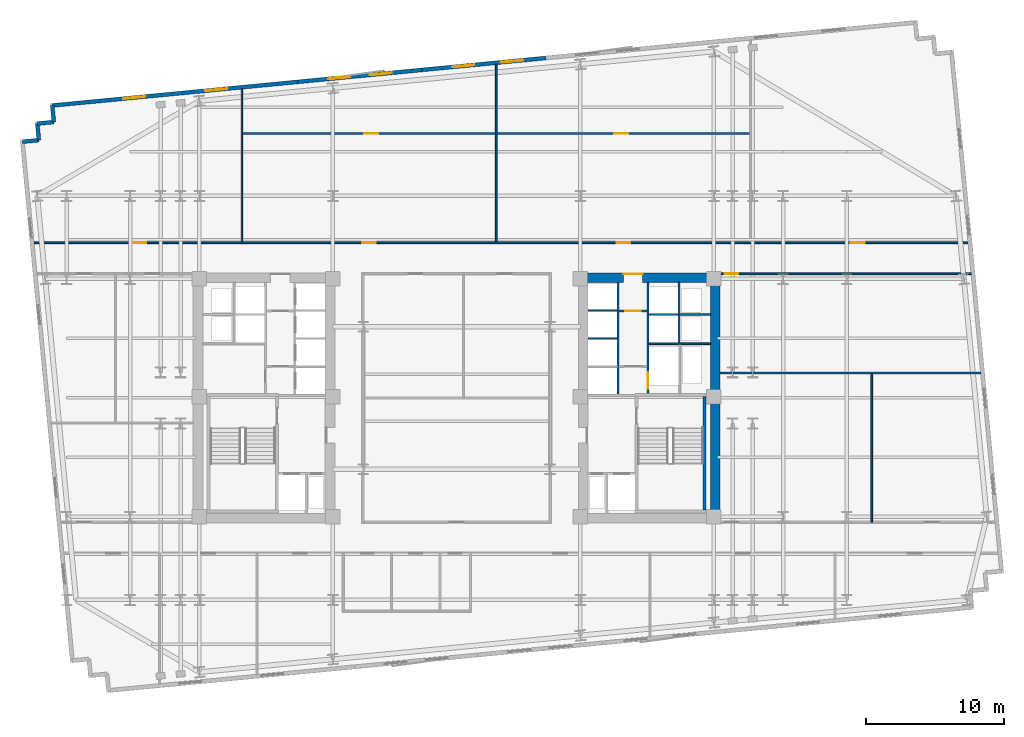
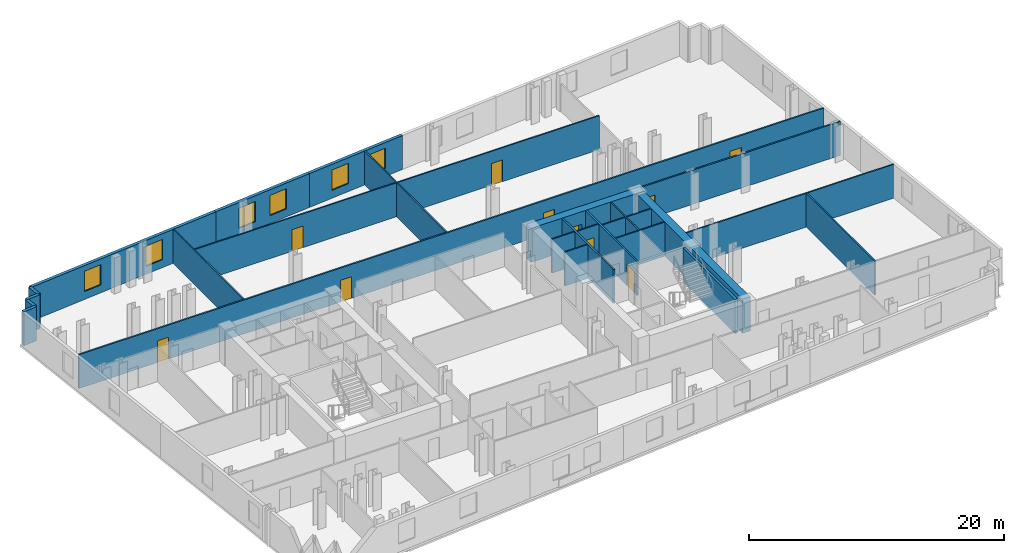
# One storey, part 7 of 10: 26 walls, 10 doors, 6 windows, 16 openings.
"""IFC4 building model written with IfcOpenShell, lengths in metres."""

import ifcopenshell
import ifcopenshell.guid

model = None  # the IFC model being written
_history = None  # IfcOwnerHistory: only IFC2X3 demands one
_inside = {}  # id of a spatial element -> (the spatial element, [elements in it])
_under = {}  # id of a project, library or spatial element -> (it, [spatial elements below it])
_declared = {}  # id of a project -> (the project, [libraries it declares])
_typed = {}  # id of a type object -> (the type object, [elements of that type])
_made_of = {}  # id of a material, layer set ... -> (it, [elements and type objects made of it])


def new_model(schema):
    """Start an empty IFC model of exactly this schema.

    Asked for "IFC4X3", IfcOpenShell would pick the latest addendum, in which some entities
    have other attributes; the version numbers below select the first issue.
    IFC2X3 requires an IfcOwnerHistory on every rooted entity: one is made here for all.
    """
    global model, _history
    if schema == "IFC4X3":
        model = ifcopenshell.file(schema_version=(4, 3, 0, 0))
    else:
        model = ifcopenshell.file(schema=schema)
    _inside.clear()
    _under.clear()
    _declared.clear()
    _typed.clear()
    _made_of.clear()
    _history = None
    if model.schema == "IFC2X3":
        org = make("IfcOrganization", Name="unknown")
        user = make(
            "IfcPersonAndOrganization",
            ThePerson=make("IfcPerson", FamilyName="unknown"),
            TheOrganization=org,
        )
        app = make(
            "IfcApplication",
            ApplicationDeveloper=org,
            Version="unknown",
            ApplicationFullName="unknown",
            ApplicationIdentifier="unknown",
        )
        _history = make(
            "IfcOwnerHistory",
            OwningUser=user,
            OwningApplication=app,
            ChangeAction="ADDED",
            CreationDate=0,
        )
    return model


def make(cls, **values):
    """One entity of the class cls with the attributes given. An attribute that is None is left unset."""
    return model.create_entity(
        cls, **{name: value for name, value in values.items() if value is not None}
    )


def rooted(cls, **values):
    """An entity with a GlobalId (a new one), such as an element, a storey or a relation."""
    return make(cls, GlobalId=ifcopenshell.guid.new(), OwnerHistory=_history, **values)


def si_unit(unit_type, name, prefix=None):
    """IfcSIUnit, for example si_unit("LENGTHUNIT", "METRE", prefix="MILLI")."""
    return make("IfcSIUnit", UnitType=unit_type, Prefix=prefix, Name=name)


def assignment(units):
    """IfcUnitAssignment: the units of a project."""
    return None if units is None else make("IfcUnitAssignment", Units=units)


def point(xyz):
    """IfcCartesianPoint."""
    return None if xyz is None else make("IfcCartesianPoint", Coordinates=xyz)


def direction(xyz):
    """IfcDirection."""
    return None if xyz is None else make("IfcDirection", DirectionRatios=xyz)


def frame(location, z_axis=None, x_axis=None):
    """IfcAxis2Placement3D, a coordinate frame: its origin and axes. An axis left out is left unset."""
    return make(
        "IfcAxis2Placement3D",
        Location=point(location),
        Axis=direction(z_axis),
        RefDirection=direction(x_axis),
    )


def frame_2d(location, x_axis=None):
    """IfcAxis2Placement2D, a coordinate frame in the plane: its origin and x axis."""
    return make(
        "IfcAxis2Placement2D", Location=point(location), RefDirection=direction(x_axis)
    )


def origin():
    """The frame at (0, 0, 0) with its axes left unset."""
    return frame((0.0, 0.0, 0.0))


def place(relative_to, where):
    """IfcLocalPlacement: puts the frame where relative to a parent placement (None: the world)."""
    return make(
        "IfcLocalPlacement", PlacementRelTo=relative_to, RelativePlacement=where
    )


def context(
    kind, dimensions, precision=None, world=None, true_north=None, identifier=None
):
    """IfcGeometricRepresentationContext, for example the 3D "Model" context."""
    return make(
        "IfcGeometricRepresentationContext",
        ContextIdentifier=identifier,
        ContextType=kind,
        CoordinateSpaceDimension=dimensions,
        Precision=precision,
        WorldCoordinateSystem=world,
        TrueNorth=true_north,
    )


def subcontext(parent, identifier, kind, view, scale=None):
    """IfcGeometricRepresentationSubContext, for example "Body" below "Model"."""
    return make(
        "IfcGeometricRepresentationSubContext",
        ContextIdentifier=identifier,
        ContextType=kind,
        ParentContext=parent,
        TargetScale=scale,
        TargetView=view,
    )


def project(units=None, contexts=None):
    """IfcProject with its units and contexts."""
    return rooted(
        "IfcProject",
        Name="project",
        RepresentationContexts=contexts,
        UnitsInContext=assignment(units),
    )


def spatial(cls, under=None, at=None, **own):
    """A site, building, storey or space (cls), placed at a placement, below another one or the project."""
    s = rooted(cls, ObjectPlacement=at, **own)
    if under is not None:
        _under.setdefault(under.id(), (under, []))[1].append(s)
    return s


def profile(cls, at=None, kind="AREA", **sizes):
    """A parametric profile (cls). Its sizes go by their IFC names, for example OverallWidth=200.0."""
    return make(cls, ProfileType=kind, Position=at, **sizes)


def rectangle(**sizes):
    """IfcRectangleProfileDef."""
    return profile("IfcRectangleProfileDef", **sizes)


def extrude(swept, where, along, depth):
    """IfcExtrudedAreaSolid: the profile swept, set in the frame where, extruded along a direction by depth."""
    return make(
        "IfcExtrudedAreaSolid",
        SweptArea=swept,
        Position=where,
        ExtrudedDirection=direction(along),
        Depth=depth,
    )


def shape(context_of_items, identifier, shape_type, items):
    """IfcShapeRepresentation: the items that make up one representation, for example the "Body"."""
    return make(
        "IfcShapeRepresentation",
        ContextOfItems=context_of_items,
        RepresentationIdentifier=identifier,
        RepresentationType=shape_type,
        Items=items,
    )


def material(Name=None, Category=None):
    """IfcMaterial."""
    return make("IfcMaterial", Name=Name, Category=Category)


def layer(
    of_material, thickness, ventilated=None, Name=None, Category=None, Priority=None
):
    """IfcMaterialLayer: one layer of a wall or slab, of a material (None: an air gap)."""
    return make(
        "IfcMaterialLayer",
        Material=of_material,
        LayerThickness=thickness,
        IsVentilated=ventilated,
        Name=Name,
        Category=Category,
        Priority=Priority,
    )


def layer_set(layers, Name=None):
    """IfcMaterialLayerSet."""
    return make("IfcMaterialLayerSet", MaterialLayers=layers, LayerSetName=Name)


def made_of(thing, what):
    """Note that an element or type object is made of a material, layer set ...; save() writes the relation."""
    if what is not None:
        _made_of.setdefault(what.id(), (what, []))[1].append(thing)
    return thing


def type_object(cls, material=None, **own):
    """A type object (cls), such as IfcWallType, which elements share."""
    return made_of(rooted(cls, **own), material)


def element(
    cls,
    number,
    at=None,
    inside=None,
    cuts=None,
    type_object=None,
    material=None,
    context=None,
    identifier="Body",
    shape_type=None,
    held_by="IfcProductDefinitionShape",
    body=None,
    shapes=None,
    **own,
):
    """One element of the class cls, such as IfcWall. Its Tag is "e" and its number.

    at: its placement. inside: the storey or other place that contains it. cuts: it is an
    opening in that element (IfcRelVoidsElement). A single representation is given by context,
    identifier, shape_type and body (its items); several are given by shapes. held_by: the class
    of the entity that holds the representations. save() writes the other relations.
    """
    e = rooted(cls, Tag="e%d" % number, ObjectPlacement=at, **own)
    if body is not None:
        shapes = [shape(context, identifier, shape_type, body)]
    if shapes is not None:
        e.Representation = make(held_by, Representations=shapes)
    if inside is not None:
        _inside.setdefault(inside.id(), (inside, []))[1].append(e)
    if cuts is not None:
        rooted(
            "IfcRelVoidsElement", RelatingBuildingElement=cuts, RelatedOpeningElement=e
        )
    if type_object is not None:
        _typed.setdefault(type_object.id(), (type_object, []))[1].append(e)
    return made_of(e, material)


def fill(opening, filler):
    """IfcRelFillsElement: the door or window that sits in an opening."""
    return rooted(
        "IfcRelFillsElement",
        RelatingOpeningElement=opening,
        RelatedBuildingElement=filler,
    )


def aggregate(whole, parts):
    """IfcRelAggregates: a whole, such as a stair, and the parts it consists of."""
    return rooted("IfcRelAggregates", RelatingObject=whole, RelatedObjects=parts)


def save(model, path):
    """Write the relations noted so far, then the file.

    IfcRelAggregates (storeys below a building ...), IfcRelContainedInSpatialStructure (elements
    in a storey), IfcRelDefinesByType, IfcRelAssociatesMaterial and IfcRelDeclares: one each for
    every whole, place, type object, material and project.
    """
    for whole, parts in _under.values():
        aggregate(whole, parts)
    for where, things in _inside.values():
        rooted(
            "IfcRelContainedInSpatialStructure",
            RelatedElements=things,
            RelatingStructure=where,
        )
    for kind, things in _typed.values():
        rooted("IfcRelDefinesByType", RelatedObjects=things, RelatingType=kind)
    for what, things in _made_of.values():
        rooted("IfcRelAssociatesMaterial", RelatedObjects=things, RelatingMaterial=what)
    for by, libraries in _declared.values():
        rooted("IfcRelDeclares", RelatingContext=by, RelatedDefinitions=libraries)
    model.write(path)


model = new_model("IFC4")

# Units and contexts
model_context = context("Model", 3, precision=1e-05, world=origin(), true_north=direction((0.0, 1.0)))
body_context = subcontext(model_context, "Body", "Model", "MODEL_VIEW")
ifc_project = project(units=[si_unit("LENGTHUNIT", "METRE"), si_unit("AREAUNIT", "SQUARE_METRE"), si_unit("VOLUMEUNIT", "CUBIC_METRE"), si_unit("PLANEANGLEUNIT", "RADIAN"), si_unit("MASSUNIT", "GRAM", prefix="KILO")], contexts=[model_context])

# Site, building, storey
site_placement = place(None, origin())
site = spatial("IfcSite", under=ifc_project, at=site_placement, CompositionType="ELEMENT")
building_placement = place(site_placement, origin())
building = spatial("IfcBuilding", under=site, at=building_placement, Name="Velakula Bourse", CompositionType="ELEMENT")
storey_placement = place(building_placement, frame((0.0, 0.0, 98.35009765625)))
storey = spatial("IfcBuildingStorey", under=building, at=storey_placement, Name="L26", CompositionType="ELEMENT", Elevation=98.35009765625)

# Wall
ifc_material_1 = material(Name="Concrete M50 (fck 50 MPa)", Category="concrete")
ifc_layer_1 = layer(ifc_material_1, 0.2099609375, Name="Concrete M50 (fck 50 MPa)", Category="concrete")
ifc_layer_set_1 = layer_set([ifc_layer_1], Name="Concrete M50 (fck 50 MPa)")
wall_type_1 = type_object("IfcWallType", Name="WL-CORE-210", PredefinedType="SHEAR", material=ifc_layer_set_1)
wall_1_placement = place(storey_placement, frame((17.925048828125, -8.10009765625, 0.0), z_axis=(0.0, 0.0, 1.0), x_axis=(0.0, 1.0, 0.0)))
element("IfcWall", 1, at=wall_1_placement, inside=storey, type_object=wall_type_1, Name="L26 Core E Stairwell Shear Wall OUT", PredefinedType="SHEAR", context=body_context, shape_type="SweptSolid", body=[
    extrude(rectangle(XDim=8.2001953125, YDim=0.2099609375, at=frame_2d((4.10009765625, 0.0))), origin(), (0.0, 0.0, 1.0), 3.27001953125),
])

# Wall, opening, door
ifc_material_2 = material(Name="Concrete M70 (fck 70 MPa)", Category="concrete")
ifc_layer_2 = layer(ifc_material_2, 0.699951171875, Name="Concrete M70 (fck 70 MPa)", Category="concrete")
ifc_layer_set_2 = layer_set([ifc_layer_2], Name="Concrete M70 (fck 70 MPa)")
wall_type_2 = type_object("IfcWallType", Name="WL-CORE-700", PredefinedType="SHEAR", material=ifc_layer_set_2)
wall_2_placement = place(storey_placement, frame((8.800048828125, 8.699951171875, 0.0), z_axis=(0.0, 0.0, 1.0), x_axis=(1.0, 0.0, 0.0)))
wall_2 = element("IfcWall", 2, at=wall_2_placement, inside=storey, type_object=wall_type_2, Name="L26 Core E Shear Wall N", PredefinedType="SHEAR", context=body_context, shape_type="SweptSolid", body=[
    extrude(rectangle(XDim=10.25, YDim=0.699951171875, at=frame_2d((5.125, 0.0))), origin(), (0.0, 0.0, 1.0), 3.27001953125),
])
opening_1_placement = place(wall_2_placement, frame((3.25, 0.0, 0.0)))
opening_1 = element("IfcOpeningElement", 3, at=opening_1_placement, cuts=wall_2, Name="Opening D-LLE", PredefinedType="OPENING", context=body_context, shape_type="SweptSolid", body=[
    extrude(rectangle(XDim=1.39990234375, YDim=2.050048828125, at=frame_2d((0.699951171875, 1.02490234375))), frame((0.0, 0.35986328125, 0.0), z_axis=(0.0, -1.0, 0.0), x_axis=(1.0, 0.0, 0.0)), (0.0, 0.0, 1.0), 0.719970703125),
])
ifc_material_3 = material(Name="Fire-rated hardwood flush architectural door", Category="wood")
door_type_1 = type_object("IfcDoorType", Name="DR-DBL-FD60-1400", OperationType="DOUBLE_DOOR_SINGLE_SWING", PredefinedType="DOOR", material=ifc_material_3)
door_1_placement = place(opening_1_placement, origin())
door_1 = element("IfcDoor", 4, at=door_1_placement, inside=storey, type_object=door_type_1, Name="L26 Core E Lift Lobby Corridor Double Door", OperationType="DOUBLE_DOOR_SINGLE_SWING", OverallHeight=2.050048828125, OverallWidth=1.39990234375, PredefinedType="DOOR", context=body_context, shape_type="SweptSolid", body=[
    extrude(rectangle(XDim=1.39990234375, YDim=2.050048828125, at=frame_2d((0.699951171875, 1.02490234375))), frame((0.0, 0.294921875, 0.0), z_axis=(0.0, -1.0, 0.0), x_axis=(1.0, 0.0, 0.0)), (0.0, 0.0, 1.0), 0.050048828125),
])
fill(opening_1, door_1)

# Wall
wall_3_placement = place(storey_placement, frame((18.699951171875, -8.35009765625, 0.0), z_axis=(0.0, 0.0, 1.0), x_axis=(0.0, 1.0, 0.0)))
element("IfcWall", 5, at=wall_3_placement, inside=storey, type_object=wall_type_2, Name="L26 Core E Shear Wall E", PredefinedType="SHEAR", context=body_context, shape_type="SweptSolid", body=[
    extrude(rectangle(XDim=16.7001953125, YDim=0.699951171875, at=frame_2d((8.35009765625, 0.0))), origin(), (0.0, 0.0, 1.0), 3.27001953125),
])

# Wall, openings, windows
ifc_material_4 = material(Name="Red kilned clay facing brick masonry", Category="masonry")
ifc_layer_3 = layer(ifc_material_4, 0.280029296875, Name="Red kilned clay facing brick masonry", Category="masonry")
ifc_layer_set_3 = layer_set([ifc_layer_3], Name="Red kilned clay facing brick masonry")
wall_type_3 = type_object("IfcWallType", Name="WL-EXT-BRK-280", PredefinedType="STANDARD", material=ifc_layer_set_3)
wall_4_placement = place(storey_placement, frame((-29.2314453125, 21.138427734375, 0.0), z_axis=(0.0, 0.0, 1.0), x_axis=(0.995395780835, 0.095850088663, 0.0)))
wall_4 = element("IfcWall", 6, at=wall_4_placement, inside=storey, type_object=wall_type_3, Name="L26 N Brick Spandrel Wall B1", PredefinedType="STANDARD", context=body_context, shape_type="SweptSolid", body=[
    extrude(rectangle(XDim=17.83984375, YDim=0.280029296875, at=frame_2d((8.919921875, 0.0))), origin(), (0.0, 0.0, 1.0), 3.25),
])
opening_2_placement = place(wall_4_placement, frame((5.146728515625, 0.0, 0.760009765625)))
opening_2 = element("IfcOpeningElement", 7, at=opening_2_placement, cuts=wall_4, Name="Opening W-02", PredefinedType="OPENING", context=body_context, shape_type="SweptSolid", body=[
    extrude(rectangle(XDim=1.60009765625, YDim=1.949951171875, at=frame_2d((0.800048828125, 0.97509765625))), frame((0.0, 0.14990234375, 0.0), z_axis=(0.0, -1.0, 0.0), x_axis=(1.0, 0.0, 0.0)), (0.0, 0.0, 1.0), 0.300048828125),
])
opening_3_placement = place(wall_4_placement, frame((11.09326171875, 0.0, 0.760009765625)))
opening_3 = element("IfcOpeningElement", 8, at=opening_3_placement, cuts=wall_4, Name="Opening W-02", PredefinedType="OPENING", context=body_context, shape_type="SweptSolid", body=[
    extrude(rectangle(XDim=1.60009765625, YDim=1.949951171875, at=frame_2d((0.800048828125, 0.97509765625))), frame((0.0, 0.14990234375, 0.0), z_axis=(0.0, -1.0, 0.0), x_axis=(1.0, 0.0, 0.0)), (0.0, 0.0, 1.0), 0.300048828125),
])
ifc_material_5 = material(Name="Double-glazed solar-control Low-E glass", Category="glass")
window_type = type_object("IfcWindowType", Name="WIN-TWR-1600x2100", PartitioningType="SINGLE_PANEL", PredefinedType="WINDOW", material=ifc_material_5)
window_1_placement = place(opening_2_placement, origin())
window_1 = element("IfcWindow", 9, at=window_1_placement, inside=storey, type_object=window_type, Name="L26 Deep-Set Recessed Window 1", OverallHeight=1.949951171875, OverallWidth=1.60009765625, PartitioningType="SINGLE_PANEL", PredefinedType="WINDOW", context=body_context, shape_type="SweptSolid", body=[
    extrude(rectangle(XDim=1.60009765625, YDim=1.949951171875, at=frame_2d((0.800048828125, 0.97509765625))), frame((0.0, 0.030029296875, 0.0), z_axis=(0.0, -1.0, 0.0), x_axis=(1.0, 0.0, 0.0)), (0.0, 0.0, 1.0), 0.06005859375),
])
fill(opening_2, window_1)
window_2_placement = place(opening_3_placement, origin())
window_2 = element("IfcWindow", 10, at=window_2_placement, inside=storey, type_object=window_type, Name="L26 Deep-Set Recessed Window 2", OverallHeight=1.949951171875, OverallWidth=1.60009765625, PartitioningType="SINGLE_PANEL", PredefinedType="WINDOW", context=body_context, shape_type="SweptSolid", body=[
    extrude(rectangle(XDim=1.60009765625, YDim=1.949951171875, at=frame_2d((0.800048828125, 0.97509765625))), frame((0.0, 0.030029296875, 0.0), z_axis=(0.0, -1.0, 0.0), x_axis=(1.0, 0.0, 0.0)), (0.0, 0.0, 1.0), 0.06005859375),
])
fill(opening_3, window_2)

wall_5_placement = place(storey_placement, frame((-11.4736328125, 22.848388671875, 0.0), z_axis=(0.0, 0.0, 1.0), x_axis=(0.995396794462, 0.09583956164, 0.0)))
wall_5 = element("IfcWall", 11, at=wall_5_placement, inside=storey, type_object=wall_type_3, Name="L26 N Brick Spandrel Wall B2", PredefinedType="STANDARD", context=body_context, shape_type="SweptSolid", body=[
    extrude(rectangle(XDim=9.0, YDim=0.280029296875, at=frame_2d((4.5, 0.0))), origin(), (0.0, 0.0, 1.0), 3.25),
])
opening_4_placement = place(wall_5_placement, frame((2.199951171875, 0.0, 0.760009765625)))
opening_4 = element("IfcOpeningElement", 12, at=opening_4_placement, cuts=wall_5, Name="Opening W-02", PredefinedType="OPENING", context=body_context, shape_type="SweptSolid", body=[
    extrude(rectangle(XDim=1.60009765625, YDim=1.949951171875, at=frame_2d((0.800048828125, 0.97509765625))), frame((0.0, 0.14990234375, 0.0), z_axis=(0.0, -1.0, 0.0), x_axis=(1.0, 0.0, 0.0)), (0.0, 0.0, 1.0), 0.300048828125),
])
opening_5_placement = place(wall_5_placement, frame((5.199951171875, 0.0, 0.760009765625)))
opening_5 = element("IfcOpeningElement", 13, at=opening_5_placement, cuts=wall_5, Name="Opening W-02", PredefinedType="OPENING", context=body_context, shape_type="SweptSolid", body=[
    extrude(rectangle(XDim=1.60009765625, YDim=1.949951171875, at=frame_2d((0.800048828125, 0.97509765625))), frame((0.0, 0.14990234375, 0.0), z_axis=(0.0, -1.0, 0.0), x_axis=(1.0, 0.0, 0.0)), (0.0, 0.0, 1.0), 0.300048828125),
])
window_3_placement = place(opening_4_placement, origin())
window_3 = element("IfcWindow", 14, at=window_3_placement, inside=storey, type_object=window_type, Name="L26 Deep-Set Recessed Window 1", OverallHeight=1.949951171875, OverallWidth=1.60009765625, PartitioningType="SINGLE_PANEL", PredefinedType="WINDOW", context=body_context, shape_type="SweptSolid", body=[
    extrude(rectangle(XDim=1.60009765625, YDim=1.949951171875, at=frame_2d((0.800048828125, 0.97509765625))), frame((0.0, 0.030029296875, 0.0), z_axis=(0.0, -1.0, 0.0), x_axis=(1.0, 0.0, 0.0)), (0.0, 0.0, 1.0), 0.06005859375),
])
fill(opening_4, window_3)
window_4_placement = place(opening_5_placement, origin())
window_4 = element("IfcWindow", 15, at=window_4_placement, inside=storey, type_object=window_type, Name="L26 Deep-Set Recessed Window 2", OverallHeight=1.949951171875, OverallWidth=1.60009765625, PartitioningType="SINGLE_PANEL", PredefinedType="WINDOW", context=body_context, shape_type="SweptSolid", body=[
    extrude(rectangle(XDim=1.60009765625, YDim=1.949951171875, at=frame_2d((0.800048828125, 0.97509765625))), frame((0.0, 0.030029296875, 0.0), z_axis=(0.0, -1.0, 0.0), x_axis=(1.0, 0.0, 0.0)), (0.0, 0.0, 1.0), 0.06005859375),
])
fill(opening_5, window_4)

wall_6_placement = place(storey_placement, frame((-2.51513671875, 23.7109375, 0.0), z_axis=(0.0, 0.0, 1.0), x_axis=(0.995397043619, 0.095836973841, 0.0)))
wall_6 = element("IfcWall", 16, at=wall_6_placement, inside=storey, type_object=wall_type_3, Name="L26 N Brick Spandrel Wall B3", PredefinedType="STANDARD", context=body_context, shape_type="SweptSolid", body=[
    extrude(rectangle(XDim=9.000244140625, YDim=0.280029296875, at=frame_2d((4.5, 0.0))), origin(), (0.0, 0.0, 1.0), 3.25),
])
opening_6_placement = place(wall_6_placement, frame((2.199951171875, 0.0, 0.760009765625)))
opening_6 = element("IfcOpeningElement", 17, at=opening_6_placement, cuts=wall_6, Name="Opening W-02", PredefinedType="OPENING", context=body_context, shape_type="SweptSolid", body=[
    extrude(rectangle(XDim=1.60009765625, YDim=1.949951171875, at=frame_2d((0.800048828125, 0.97509765625))), frame((0.0, 0.14990234375, 0.0), z_axis=(0.0, -1.0, 0.0), x_axis=(1.0, 0.0, 0.0)), (0.0, 0.0, 1.0), 0.300048828125),
])
opening_7_placement = place(wall_6_placement, frame((5.75, 0.0, 0.760009765625)))
opening_7 = element("IfcOpeningElement", 18, at=opening_7_placement, cuts=wall_6, Name="Opening W-02", PredefinedType="OPENING", context=body_context, shape_type="SweptSolid", body=[
    extrude(rectangle(XDim=1.60009765625, YDim=1.949951171875, at=frame_2d((0.800048828125, 0.97509765625))), frame((0.0, 0.14990234375, 0.0), z_axis=(0.0, -1.0, 0.0), x_axis=(1.0, 0.0, 0.0)), (0.0, 0.0, 1.0), 0.300048828125),
])
window_5_placement = place(opening_6_placement, origin())
window_5 = element("IfcWindow", 19, at=window_5_placement, inside=storey, type_object=window_type, Name="L26 Deep-Set Recessed Window 1", OverallHeight=1.949951171875, OverallWidth=1.60009765625, PartitioningType="SINGLE_PANEL", PredefinedType="WINDOW", context=body_context, shape_type="SweptSolid", body=[
    extrude(rectangle(XDim=1.60009765625, YDim=1.949951171875, at=frame_2d((0.800048828125, 0.97509765625))), frame((0.0, 0.030029296875, 0.0), z_axis=(0.0, -1.0, 0.0), x_axis=(1.0, 0.0, 0.0)), (0.0, 0.0, 1.0), 0.06005859375),
])
fill(opening_6, window_5)
window_6_placement = place(opening_7_placement, origin())
window_6 = element("IfcWindow", 20, at=window_6_placement, inside=storey, type_object=window_type, Name="L26 Deep-Set Recessed Window 2", OverallHeight=1.949951171875, OverallWidth=1.60009765625, PartitioningType="SINGLE_PANEL", PredefinedType="WINDOW", context=body_context, shape_type="SweptSolid", body=[
    extrude(rectangle(XDim=1.60009765625, YDim=1.949951171875, at=frame_2d((0.800048828125, 0.97509765625))), frame((0.0, 0.030029296875, 0.0), z_axis=(0.0, -1.0, 0.0), x_axis=(1.0, 0.0, 0.0)), (0.0, 0.0, 1.0), 0.06005859375),
])
fill(opening_7, window_6)

# Walls
for number, where, z_axis, x_axis, name in (
    (21, (-29.2314453125, 21.138427734375, 0.0), (0.0, 0.0, 1.0), (0.095817067274, -0.995398960025, 0.0), "L26 Serrated Corner Brick Wall NW-1"),
    (22, (-29.116455078125, 19.94384765625, 0.0), (0.0, 0.0, 1.0), (-0.995398960025, -0.095817067274, 0.0), "L26 Serrated Corner Brick Wall NW-2"),
):
    element("IfcWall", number, at=place(storey_placement, frame(where, z_axis=z_axis, x_axis=x_axis)), inside=storey, type_object=wall_type_3, Name=name, PredefinedType="STANDARD", context=body_context, shape_type="SweptSolid", body=[
        extrude(rectangle(XDim=1.2001953125, YDim=0.280029296875, at=frame_2d((0.60009765625, 0.0))), origin(), (0.0, 0.0, 1.0), 3.25),
    ])
for number, where, z_axis, x_axis, name in (
    (23, (-30.31103515625, 19.828857421875, 0.0), (0.0, 0.0, 1.0), (0.095836473879, -0.995397091755, 0.0), "L26 Serrated Corner Brick Wall NW-3"),
    (24, (-30.196044921875, 18.634521484375, 0.0), (0.0, 0.0, 1.0), (-0.995397091755, -0.095836473879, 0.0), "L26 Serrated Corner Brick Wall NW-4"),
):
    element("IfcWall", number, at=place(storey_placement, frame(where, z_axis=z_axis, x_axis=x_axis)), inside=storey, type_object=wall_type_3, Name=name, PredefinedType="STANDARD", context=body_context, shape_type="SweptSolid", body=[
        extrude(rectangle(XDim=1.199951171875, YDim=0.280029296875, at=frame_2d((0.60009765625, 0.0))), origin(), (0.0, 0.0, 1.0), 3.25),
    ])

# Wall, opening, door
ifc_material_6 = material(Name="Fire-rated double-layer gypsum drywall partition", Category="gypsum")
ifc_layer_4 = layer(ifc_material_6, 0.1201171875, Name="Fire-rated double-layer gypsum drywall partition", Category="gypsum")
ifc_layer_set_4 = layer_set([ifc_layer_4], Name="Fire-rated double-layer gypsum drywall partition")
wall_type_4 = type_object("IfcWallType", Name="WL-PART-120", PredefinedType="STANDARD", material=ifc_layer_set_4)
wall_7_placement = place(storey_placement, frame((11.75, 6.280029296875, 0.0), z_axis=(0.0, 0.0, 1.0), x_axis=(1.0, 0.0, 0.0)))
wall_7 = element("IfcWall", 25, at=wall_7_placement, inside=storey, type_object=wall_type_4, Name="L26 Interior Partition WL-CRE-L26-LL-K3B", PredefinedType="STANDARD", context=body_context, shape_type="SweptSolid", body=[
    extrude(rectangle(XDim=2.0, YDim=0.1201171875, at=frame_2d((1.0, 0.0))), origin(), (0.0, 0.0, 1.0), 3.25),
])
opening_8_placement = place(wall_7_placement, frame((0.449951171875, 0.0, 0.0)))
opening_8 = element("IfcOpeningElement", 26, at=opening_8_placement, cuts=wall_7, Name="Opening D-LK3", PredefinedType="OPENING", context=body_context, shape_type="SweptSolid", body=[
    extrude(rectangle(XDim=1.10009765625, YDim=2.10009765625, at=frame_2d((0.550048828125, 1.050048828125))), frame((0.0, 0.070068359375, 0.0), z_axis=(0.0, -1.0, 0.0), x_axis=(1.0, 0.0, 0.0)), (0.0, 0.0, 1.0), 0.14013671875),
])
door_type_2 = type_object("IfcDoorType", Name="DR-FD60-1100x2100", OperationType="NOTDEFINED", PredefinedType="DOOR", material=ifc_material_3)
door_2_placement = place(opening_8_placement, origin())
door_2 = element("IfcDoor", 27, at=door_2_placement, inside=storey, type_object=door_type_2, Name="L26 Core E Lift Lobby Vestibule Door B", OperationType="SINGLE_SWING_RIGHT", OverallHeight=2.10009765625, OverallWidth=1.10009765625, PredefinedType="DOOR", context=body_context, shape_type="SweptSolid", body=[
    extrude(rectangle(XDim=1.10009765625, YDim=2.10009765625, at=frame_2d((0.550048828125, 1.050048828125))), frame((0.0, 0.02490234375, 0.0), z_axis=(0.0, -1.0, 0.0), x_axis=(1.0, 0.0, 0.0)), (0.0, 0.0, 1.0), 0.050048828125),
])
fill(opening_8, door_2)

# Walls
for number, where, z_axis, x_axis, name in (
    (28, (9.5, 4.284912109375, 0.0), (0.0, 0.0, 1.0), (1.0, 0.0, 0.0), "L26 Interior Partition WL-CRE-L26-BDIV-1"),
    (29, (9.5, 6.31494140625, 0.0), (0.0, 0.0, 1.0), (1.0, 0.0, 0.0), "L26 Interior Partition WL-CRE-L26-BDIV-2"),
):
    element("IfcWall", number, at=place(storey_placement, frame(where, z_axis=z_axis, x_axis=x_axis)), inside=storey, type_object=wall_type_4, Name=name, PredefinedType="STANDARD", context=body_context, shape_type="SweptSolid", body=[
        extrude(rectangle(XDim=2.10009765625, YDim=0.110107421875, at=frame_2d((1.050048828125, 0.0))), origin(), (0.0, 0.0, 1.0), 3.25),
    ])
wall_8_placement = place(storey_placement, frame((13.89990234375, 3.919921875, 0.0), z_axis=(0.0, 0.0, 1.0), x_axis=(1.0, 0.0, 0.0)))
element("IfcWall", 30, at=wall_8_placement, inside=storey, type_object=wall_type_4, Name="L26 Interior Partition WL-CRE-L26-HI-S", PredefinedType="STANDARD", context=body_context, shape_type="SweptSolid", body=[
    extrude(rectangle(XDim=4.4501953125, YDim=0.1201171875, at=frame_2d((2.22509765625, 0.0))), origin(), (0.0, 0.0, 1.0), 3.25),
])
wall_9_placement = place(storey_placement, frame((16.14990234375, 6.030029296875, 0.0), z_axis=(0.0, 0.0, 1.0), x_axis=(1.0, 0.0, 0.0)))
element("IfcWall", 31, at=wall_9_placement, inside=storey, type_object=wall_type_4, Name="L26 Interior Partition WL-CRE-L26-RIS-MID", PredefinedType="STANDARD", context=body_context, shape_type="SweptSolid", body=[
    extrude(rectangle(XDim=2.2001953125, YDim=0.1201171875, at=frame_2d((1.10009765625, 0.0))), origin(), (0.0, 0.0, 1.0), 3.25),
])
wall_10_placement = place(storey_placement, frame((16.074951171875, 3.97998046875, 0.0), z_axis=(0.0, 0.0, 1.0), x_axis=(0.0, 1.0, 0.0)))
element("IfcWall", 32, at=wall_10_placement, inside=storey, type_object=wall_type_4, Name="L26 Interior Partition WL-CRE-L26-RIS-F", PredefinedType="STANDARD", context=body_context, shape_type="SweptSolid", body=[
    extrude(rectangle(XDim=4.3701171875, YDim=0.1201171875, at=frame_2d((2.18505859375, 0.0))), origin(), (0.0, 0.0, 1.0), 3.25),
])
wall_11_placement = place(storey_placement, frame((13.89990234375, 6.030029296875, 0.0), z_axis=(0.0, 0.0, 1.0), x_axis=(1.0, 0.0, 0.0)))
element("IfcWall", 33, at=wall_11_placement, inside=storey, type_object=wall_type_4, Name="L26 Interior Partition WL-CRE-L26-HI-DIV", PredefinedType="STANDARD", context=body_context, shape_type="SweptSolid", body=[
    extrude(rectangle(XDim=2.10009765625, YDim=0.1201171875, at=frame_2d((1.050048828125, 0.0))), origin(), (0.0, 0.0, 1.0), 3.25),
])
wall_12_placement = place(storey_placement, frame((-15.528076171875, 11.2900390625, 0.0), z_axis=(0.0, 0.0, 1.0), x_axis=(0.0, 1.0, 0.0)))
element("IfcWall", 34, at=wall_12_placement, inside=storey, type_object=wall_type_4, Name="L26 Interior Partition WL-INT-L26-N-D1", PredefinedType="STANDARD", context=body_context, shape_type="SweptSolid", body=[
    extrude(rectangle(XDim=11.04736328125, YDim=0.1201171875, at=frame_2d((5.523681640625, 0.0))), origin(), (0.0, 0.0, 1.0), 3.25),
])
wall_13_placement = place(storey_placement, frame((2.862060546875, 11.2900390625, 0.0), z_axis=(0.0, 0.0, 1.0), x_axis=(0.0, 1.0, 0.0)))
element("IfcWall", 35, at=wall_13_placement, inside=storey, type_object=wall_type_4, Name="L26 Interior Partition WL-INT-L26-N-D2", PredefinedType="STANDARD", context=body_context, shape_type="SweptSolid", body=[
    extrude(rectangle(XDim=12.818115234375, YDim=0.1201171875, at=frame_2d((6.4091796875, 0.0))), origin(), (0.0, 0.0, 1.0), 3.25),
])

# Wall, openings, doors
wall_14_placement = place(storey_placement, frame((-15.468017578125, 19.1201171875, 0.0), z_axis=(0.0, 0.0, 1.0), x_axis=(1.0, 0.0, 0.0)))
wall_14 = element("IfcWall", 36, at=wall_14_placement, inside=storey, type_object=wall_type_4, Name="L26 Interior Partition WL-INT-L26-N-MID", PredefinedType="STANDARD", context=body_context, shape_type="SweptSolid", body=[
    extrude(rectangle(XDim=36.658935546875, YDim=0.1201171875, at=frame_2d((18.32958984375, 0.0))), origin(), (0.0, 0.0, 1.0), 3.25),
])
opening_9_placement = place(wall_14_placement, frame((8.7919921875, 0.0, 0.0)))
opening_9 = element("IfcOpeningElement", 37, at=opening_9_placement, cuts=wall_14, Name="Opening D-OF1", PredefinedType="OPENING", context=body_context, shape_type="SweptSolid", body=[
    extrude(rectangle(XDim=1.0, YDim=2.080078125, at=frame_2d((0.5, 1.0400390625))), frame((0.0, 0.070068359375, 0.0), z_axis=(0.0, -1.0, 0.0), x_axis=(1.0, 0.0, 0.0)), (0.0, 0.0, 1.0), 0.14013671875),
])
opening_10_placement = place(wall_14_placement, frame((26.867431640625, 0.0, 0.0)))
opening_10 = element("IfcOpeningElement", 38, at=opening_10_placement, cuts=wall_14, Name="Opening D-OF1", PredefinedType="OPENING", context=body_context, shape_type="SweptSolid", body=[
    extrude(rectangle(XDim=1.0, YDim=2.080078125, at=frame_2d((0.5, 1.0400390625))), frame((0.0, 0.070068359375, 0.0), z_axis=(0.0, -1.0, 0.0), x_axis=(1.0, 0.0, 0.0)), (0.0, 0.0, 1.0), 0.14013671875),
])
door_type_3 = type_object("IfcDoorType", Name="DR-OFF-1000", OperationType="NOTDEFINED", PredefinedType="DOOR", material=ifc_material_3)
door_3_placement = place(opening_9_placement, origin())
door_3 = element("IfcDoor", 39, at=door_3_placement, inside=storey, type_object=door_type_3, Name="L26 Yield Curve Seminar Room Door", OperationType="SINGLE_SWING_LEFT", OverallHeight=2.080078125, OverallWidth=1.0, PredefinedType="DOOR", context=body_context, shape_type="SweptSolid", body=[
    extrude(rectangle(XDim=1.0, YDim=2.080078125, at=frame_2d((0.5, 1.0400390625))), frame((0.0, 0.02490234375, 0.0), z_axis=(0.0, -1.0, 0.0), x_axis=(1.0, 0.0, 0.0)), (0.0, 0.0, 1.0), 0.050048828125),
])
fill(opening_9, door_3)
door_4_placement = place(opening_10_placement, origin())
door_4 = element("IfcDoor", 40, at=door_4_placement, inside=storey, type_object=door_type_3, Name="L26 Traders Pantry Door", OperationType="SINGLE_SWING_LEFT", OverallHeight=2.080078125, OverallWidth=1.0, PredefinedType="DOOR", context=body_context, shape_type="SweptSolid", body=[
    extrude(rectangle(XDim=1.0, YDim=2.080078125, at=frame_2d((0.5, 1.0400390625))), frame((0.0, 0.02490234375, 0.0), z_axis=(0.0, -1.0, 0.0), x_axis=(1.0, 0.0, 0.0)), (0.0, 0.0, 1.0), 0.050048828125),
])
fill(opening_10, door_4)

# Walls
wall_15_placement = place(storey_placement, frame((19.050048828125, 1.800048828125, 0.0), z_axis=(0.0, 0.0, 1.0), x_axis=(1.0, 0.0, 0.0)))
element("IfcWall", 41, at=wall_15_placement, inside=storey, type_object=wall_type_4, Name="L26 Interior Partition WL-INT-L26-E-H", PredefinedType="STANDARD", context=body_context, shape_type="SweptSolid", body=[
    extrude(rectangle(XDim=18.841064453125, YDim=0.1201171875, at=frame_2d((9.42041015625, 0.0))), origin(), (0.0, 0.0, 1.0), 3.25),
])
wall_16_placement = place(storey_placement, frame((30.009033203125, -8.97998046875, 0.0), z_axis=(0.0, 0.0, 1.0), x_axis=(0.0, 1.0, 0.0)))
element("IfcWall", 42, at=wall_16_placement, inside=storey, type_object=wall_type_4, Name="L26 Interior Partition WL-INT-L26-E-VS", PredefinedType="STANDARD", context=body_context, shape_type="SweptSolid", body=[
    extrude(rectangle(XDim=10.719970703125, YDim=0.1201171875, at=frame_2d((5.35986328125, 0.0))), origin(), (0.0, 0.0, 1.0), 3.25),
])

# Wall, openings, doors
ifc_layer_5 = layer(ifc_material_6, 0.139892578125, Name="Fire-rated double-layer gypsum drywall partition", Category="gypsum")
ifc_layer_set_5 = layer_set([ifc_layer_5], Name="Fire-rated double-layer gypsum drywall partition")
wall_type_5 = type_object("IfcWallType", Name="WL-PART-140", PredefinedType="STANDARD", material=ifc_layer_set_5)
wall_17_placement = place(storey_placement, frame((-30.56689453125, 11.219970703125, 0.0), z_axis=(0.0, 0.0, 1.0), x_axis=(1.0, 0.0, 0.0)))
wall_17 = element("IfcWall", 43, at=wall_17_placement, inside=storey, type_object=wall_type_5, Name="L26 Interior Partition WL-INT-L26-N-CORR", PredefinedType="STANDARD", context=body_context, shape_type="SweptSolid", body=[
    extrude(rectangle(XDim=67.55078125, YDim=0.139892578125, at=frame_2d((33.775390625, 0.0))), origin(), (0.0, 0.0, 1.0), 3.25),
])
opening_11_placement = place(wall_17_placement, frame((7.1455078125, 0.0, 0.0)))
opening_11 = element("IfcOpeningElement", 44, at=opening_11_placement, cuts=wall_17, Name="Opening D-OF1", PredefinedType="OPENING", context=body_context, shape_type="SweptSolid", body=[
    extrude(rectangle(XDim=1.0, YDim=2.080078125, at=frame_2d((0.5, 1.0400390625))), frame((0.0, 0.079833984375, 0.0), z_axis=(0.0, -1.0, 0.0), x_axis=(1.0, 0.0, 0.0)), (0.0, 0.0, 1.0), 0.159912109375),
])
opening_12_placement = place(wall_17_placement, frame((23.73388671875, 0.0, 0.0)))
opening_12 = element("IfcOpeningElement", 45, at=opening_12_placement, cuts=wall_17, Name="Opening D-OF1", PredefinedType="OPENING", context=body_context, shape_type="SweptSolid", body=[
    extrude(rectangle(XDim=1.0, YDim=2.080078125, at=frame_2d((0.5, 1.0400390625))), frame((0.0, 0.079833984375, 0.0), z_axis=(0.0, -1.0, 0.0), x_axis=(1.0, 0.0, 0.0)), (0.0, 0.0, 1.0), 0.159912109375),
])
opening_13_placement = place(wall_17_placement, frame((42.12353515625, 0.0, 0.0)))
opening_13 = element("IfcOpeningElement", 46, at=opening_13_placement, cuts=wall_17, Name="Opening D-OF1", PredefinedType="OPENING", context=body_context, shape_type="SweptSolid", body=[
    extrude(rectangle(XDim=1.0, YDim=2.080078125, at=frame_2d((0.5, 1.0400390625))), frame((0.0, 0.079833984375, 0.0), z_axis=(0.0, -1.0, 0.0), x_axis=(1.0, 0.0, 0.0)), (0.0, 0.0, 1.0), 0.159912109375),
])
opening_14_placement = place(wall_17_placement, frame((59.05859375, 0.0, 0.0)))
opening_14 = element("IfcOpeningElement", 47, at=opening_14_placement, cuts=wall_17, Name="Opening D-OF1", PredefinedType="OPENING", context=body_context, shape_type="SweptSolid", body=[
    extrude(rectangle(XDim=1.0, YDim=2.080078125, at=frame_2d((0.5, 1.0400390625))), frame((0.0, 0.079833984375, 0.0), z_axis=(0.0, -1.0, 0.0), x_axis=(1.0, 0.0, 0.0)), (0.0, 0.0, 1.0), 0.159912109375),
])
door_5_placement = place(opening_11_placement, origin())
door_5 = element("IfcDoor", 48, at=door_5_placement, inside=storey, type_object=door_type_3, Name="L26 Cybersecurity Operations Workspace Door", OperationType="SINGLE_SWING_LEFT", OverallHeight=2.080078125, OverallWidth=1.0, PredefinedType="DOOR", context=body_context, shape_type="SweptSolid", body=[
    extrude(rectangle(XDim=1.0, YDim=2.080078125, at=frame_2d((0.5, 1.0400390625))), frame((0.0, 0.02490234375, 0.0), z_axis=(0.0, -1.0, 0.0), x_axis=(1.0, 0.0, 0.0)), (0.0, 0.0, 1.0), 0.050048828125),
])
fill(opening_11, door_5)
door_6_placement = place(opening_12_placement, origin())
door_6 = element("IfcDoor", 49, at=door_6_placement, inside=storey, type_object=door_type_3, Name="L26 Yield Curve Seminar Room Door", OperationType="SINGLE_SWING_RIGHT", OverallHeight=2.080078125, OverallWidth=1.0, PredefinedType="DOOR", context=body_context, shape_type="SweptSolid", body=[
    extrude(rectangle(XDim=1.0, YDim=2.080078125, at=frame_2d((0.5, 1.0400390625))), frame((0.0, 0.02490234375, 0.0), z_axis=(0.0, -1.0, 0.0), x_axis=(1.0, 0.0, 0.0)), (0.0, 0.0, 1.0), 0.050048828125),
])
fill(opening_12, door_6)
door_7_placement = place(opening_13_placement, origin())
door_7 = element("IfcDoor", 50, at=door_7_placement, inside=storey, type_object=door_type_3, Name="L26 Arbitration Conference Room Door", OperationType="SINGLE_SWING_RIGHT", OverallHeight=2.080078125, OverallWidth=1.0, PredefinedType="DOOR", context=body_context, shape_type="SweptSolid", body=[
    extrude(rectangle(XDim=1.0, YDim=2.080078125, at=frame_2d((0.5, 1.0400390625))), frame((0.0, 0.02490234375, 0.0), z_axis=(0.0, -1.0, 0.0), x_axis=(1.0, 0.0, 0.0)), (0.0, 0.0, 1.0), 0.050048828125),
])
fill(opening_13, door_7)
door_8_placement = place(opening_14_placement, origin())
door_8 = element("IfcDoor", 51, at=door_8_placement, inside=storey, type_object=door_type_3, Name="L26 Members Dining Lounge Door", OperationType="SINGLE_SWING_RIGHT", OverallHeight=2.080078125, OverallWidth=1.0, PredefinedType="DOOR", context=body_context, shape_type="SweptSolid", body=[
    extrude(rectangle(XDim=1.0, YDim=2.080078125, at=frame_2d((0.5, 1.0400390625))), frame((0.0, 0.02490234375, 0.0), z_axis=(0.0, -1.0, 0.0), x_axis=(1.0, 0.0, 0.0)), (0.0, 0.0, 1.0), 0.050048828125),
])
fill(opening_14, door_8)

# Wall, opening, door
wall_18_placement = place(storey_placement, frame((19.050048828125, 8.97998046875, 0.0), z_axis=(0.0, 0.0, 1.0), x_axis=(1.0, 0.0, 0.0)))
wall_18 = element("IfcWall", 52, at=wall_18_placement, inside=storey, type_object=wall_type_5, Name="L26 Interior Partition WL-INT-L26-E-NC", PredefinedType="STANDARD", context=body_context, shape_type="SweptSolid", body=[
    extrude(rectangle(XDim=18.149658203125, YDim=0.139892578125, at=frame_2d((9.07470703125, 0.0))), origin(), (0.0, 0.0, 1.0), 3.25),
])
opening_15_placement = place(wall_18_placement, frame((0.320068359375, 0.0, 0.0)))
opening_15 = element("IfcOpeningElement", 53, at=opening_15_placement, cuts=wall_18, Name="Opening D-OF1", PredefinedType="OPENING", context=body_context, shape_type="SweptSolid", body=[
    extrude(rectangle(XDim=1.0, YDim=2.080078125, at=frame_2d((0.5, 1.0400390625))), frame((0.0, 0.079833984375, 0.0), z_axis=(0.0, -1.0, 0.0), x_axis=(1.0, 0.0, 0.0)), (0.0, 0.0, 1.0), 0.159912109375),
])
door_9_placement = place(opening_15_placement, origin())
door_9 = element("IfcDoor", 54, at=door_9_placement, inside=storey, type_object=door_type_3, Name="L26 Compliance Review Office Door", OperationType="SINGLE_SWING_LEFT", OverallHeight=2.080078125, OverallWidth=1.0, PredefinedType="DOOR", context=body_context, shape_type="SweptSolid", body=[
    extrude(rectangle(XDim=1.0, YDim=2.080078125, at=frame_2d((0.5, 1.0400390625))), frame((0.0, 0.02490234375, 0.0), z_axis=(0.0, -1.0, 0.0), x_axis=(1.0, 0.0, 0.0)), (0.0, 0.0, 1.0), 0.050048828125),
])
fill(opening_15, door_9)

# Wall
ifc_material_7 = material(Name="Autoclaved aerated concrete blockwork masonry", Category="masonry")
ifc_layer_6 = layer(ifc_material_7, 0.14990234375, Name="Autoclaved aerated concrete blockwork masonry", Category="masonry")
ifc_layer_set_6 = layer_set([ifc_layer_6], Name="Autoclaved aerated concrete blockwork masonry")
wall_type_6 = type_object("IfcWallType", Name="WL-SHAFT-150", PredefinedType="STANDARD", material=ifc_layer_set_6)
wall_19_placement = place(storey_placement, frame((11.675048828125, 0.27001953125, 0.0), z_axis=(0.0, 0.0, 1.0), x_axis=(0.0, 1.0, 0.0)))
element("IfcWall", 55, at=wall_19_placement, inside=storey, type_object=wall_type_6, Name="L26 Interior Partition WL-CRE-L26-BANK-F", PredefinedType="STANDARD", context=body_context, shape_type="SweptSolid", body=[
    extrude(rectangle(XDim=8.080078125, YDim=0.14990234375, at=frame_2d((4.0400390625, 0.0))), origin(), (0.0, 0.0, 1.0), 3.25),
])

# Wall, opening, door
wall_20_placement = place(storey_placement, frame((13.824951171875, 0.27001953125, 0.0), z_axis=(0.0, 0.0, 1.0), x_axis=(0.0, 1.0, 0.0)))
wall_20 = element("IfcWall", 56, at=wall_20_placement, inside=storey, type_object=wall_type_6, Name="L26 Interior Partition WL-CRE-L26-OUT-F", PredefinedType="STANDARD", context=body_context, shape_type="SweptSolid", body=[
    extrude(rectangle(XDim=8.080078125, YDim=0.14990234375, at=frame_2d((4.0400390625, 0.0))), origin(), (0.0, 0.0, 1.0), 3.25),
])
opening_16_placement = place(wall_20_placement, frame((0.3798828125, 0.0, 0.0)))
opening_16 = element("IfcOpeningElement", 57, at=opening_16_placement, cuts=wall_20, Name="Opening LD-SVL1", PredefinedType="OPENING", context=body_context, shape_type="SweptSolid", body=[
    extrude(rectangle(XDim=1.199951171875, YDim=2.10009765625, at=frame_2d((0.60009765625, 1.050048828125))), frame((0.0, 0.0849609375, 0.0), z_axis=(0.0, -1.0, 0.0), x_axis=(1.0, 0.0, 0.0)), (0.0, 0.0, 1.0), 0.169921875),
])
ifc_material_8 = material(Name="Brushed grade 316 stainless steel", Category="steel")
door_type_4 = type_object("IfcDoorType", Name="DR-SLIDE-LD-1200", OperationType="DOUBLE_DOOR_SLIDING", PredefinedType="DOOR", material=ifc_material_8)
door_10_placement = place(opening_16_placement, origin())
door_10 = element("IfcDoor", 58, at=door_10_placement, inside=storey, type_object=door_type_4, Name="L26 Service Lift SVL-1 Sliding Landing Door", OperationType="DOUBLE_DOOR_SLIDING", OverallHeight=2.10009765625, OverallWidth=1.199951171875, PredefinedType="DOOR", context=body_context, shape_type="SweptSolid", body=[
    extrude(rectangle(XDim=1.199951171875, YDim=2.10009765625, at=frame_2d((0.60009765625, 1.050048828125))), frame((0.0, 0.02490234375, 0.0), z_axis=(0.0, -1.0, 0.0), x_axis=(1.0, 0.0, 0.0)), (0.0, 0.0, 1.0), 0.050048828125),
])
fill(opening_16, door_10)

save(model, "model.ifc")
